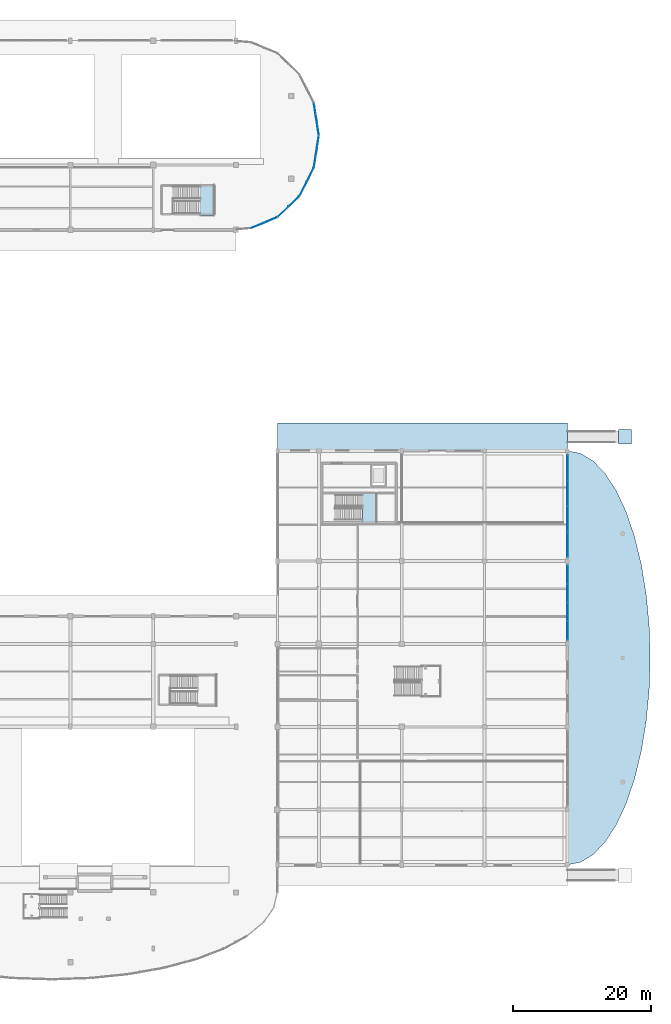
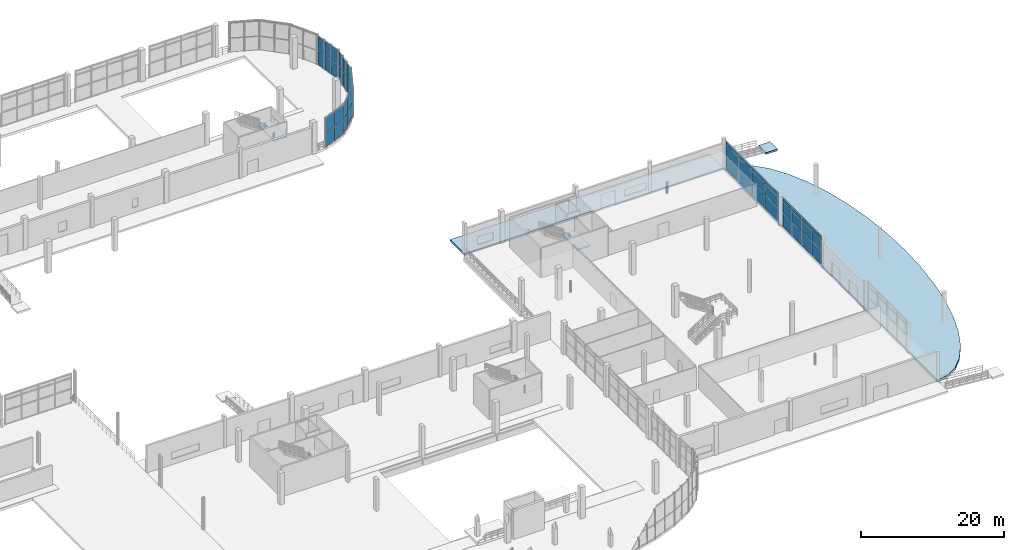
# One storey, part 54 of 85: 48 plates, 5 slabs, 9 elements without a shape of their own.
"""IFC4 building model written with IfcOpenShell, lengths in metres."""

import ifcopenshell
import ifcopenshell.guid

model = None  # the IFC model being written
_history = None  # IfcOwnerHistory: only IFC2X3 demands one
_inside = {}  # id of a spatial element -> (the spatial element, [elements in it])
_under = {}  # id of a project, library or spatial element -> (it, [spatial elements below it])
_declared = {}  # id of a project -> (the project, [libraries it declares])
_typed = {}  # id of a type object -> (the type object, [elements of that type])
_made_of = {}  # id of a material, layer set ... -> (it, [elements and type objects made of it])


def new_model(schema):
    """Start an empty IFC model of exactly this schema.

    Asked for "IFC4X3", IfcOpenShell would pick the latest addendum, in which some entities
    have other attributes; the version numbers below select the first issue.
    IFC2X3 requires an IfcOwnerHistory on every rooted entity: one is made here for all.
    """
    global model, _history
    if schema == "IFC4X3":
        model = ifcopenshell.file(schema_version=(4, 3, 0, 0))
    else:
        model = ifcopenshell.file(schema=schema)
    _inside.clear()
    _under.clear()
    _declared.clear()
    _typed.clear()
    _made_of.clear()
    _history = None
    if model.schema == "IFC2X3":
        org = make("IfcOrganization", Name="unknown")
        user = make(
            "IfcPersonAndOrganization",
            ThePerson=make("IfcPerson", FamilyName="unknown"),
            TheOrganization=org,
        )
        app = make(
            "IfcApplication",
            ApplicationDeveloper=org,
            Version="unknown",
            ApplicationFullName="unknown",
            ApplicationIdentifier="unknown",
        )
        _history = make(
            "IfcOwnerHistory",
            OwningUser=user,
            OwningApplication=app,
            ChangeAction="ADDED",
            CreationDate=0,
        )
    return model


def make(cls, **values):
    """One entity of the class cls with the attributes given. An attribute that is None is left unset."""
    return model.create_entity(
        cls, **{name: value for name, value in values.items() if value is not None}
    )


def rooted(cls, **values):
    """An entity with a GlobalId (a new one), such as an element, a storey or a relation."""
    return make(cls, GlobalId=ifcopenshell.guid.new(), OwnerHistory=_history, **values)


def si_unit(unit_type, name, prefix=None):
    """IfcSIUnit, for example si_unit("LENGTHUNIT", "METRE", prefix="MILLI")."""
    return make("IfcSIUnit", UnitType=unit_type, Prefix=prefix, Name=name)


def assignment(units):
    """IfcUnitAssignment: the units of a project."""
    return None if units is None else make("IfcUnitAssignment", Units=units)


def point(xyz):
    """IfcCartesianPoint."""
    return None if xyz is None else make("IfcCartesianPoint", Coordinates=xyz)


def direction(xyz):
    """IfcDirection."""
    return None if xyz is None else make("IfcDirection", DirectionRatios=xyz)


def frame(location, z_axis=None, x_axis=None):
    """IfcAxis2Placement3D, a coordinate frame: its origin and axes. An axis left out is left unset."""
    return make(
        "IfcAxis2Placement3D",
        Location=point(location),
        Axis=direction(z_axis),
        RefDirection=direction(x_axis),
    )


def frame_2d(location, x_axis=None):
    """IfcAxis2Placement2D, a coordinate frame in the plane: its origin and x axis."""
    return make(
        "IfcAxis2Placement2D", Location=point(location), RefDirection=direction(x_axis)
    )


def origin():
    """The frame at (0, 0, 0) with its axes left unset."""
    return frame((0.0, 0.0, 0.0))


def origin_2d():
    """The frame at (0, 0) in the plane with its x axis left unset."""
    return frame_2d((0.0, 0.0))


def place(relative_to, where):
    """IfcLocalPlacement: puts the frame where relative to a parent placement (None: the world)."""
    return make(
        "IfcLocalPlacement", PlacementRelTo=relative_to, RelativePlacement=where
    )


def context(
    kind, dimensions, precision=None, world=None, true_north=None, identifier=None
):
    """IfcGeometricRepresentationContext, for example the 3D "Model" context."""
    return make(
        "IfcGeometricRepresentationContext",
        ContextIdentifier=identifier,
        ContextType=kind,
        CoordinateSpaceDimension=dimensions,
        Precision=precision,
        WorldCoordinateSystem=world,
        TrueNorth=true_north,
    )


def subcontext(parent, identifier, kind, view, scale=None):
    """IfcGeometricRepresentationSubContext, for example "Body" below "Model"."""
    return make(
        "IfcGeometricRepresentationSubContext",
        ContextIdentifier=identifier,
        ContextType=kind,
        ParentContext=parent,
        TargetScale=scale,
        TargetView=view,
    )


def project(units=None, contexts=None):
    """IfcProject with its units and contexts."""
    return rooted(
        "IfcProject",
        Name="project",
        RepresentationContexts=contexts,
        UnitsInContext=assignment(units),
    )


def spatial(cls, under=None, at=None, **own):
    """A site, building, storey or space (cls), placed at a placement, below another one or the project."""
    s = rooted(cls, ObjectPlacement=at, **own)
    if under is not None:
        _under.setdefault(under.id(), (under, []))[1].append(s)
    return s


def polyline(points):
    """IfcPolyline through the points."""
    return make("IfcPolyline", Points=[point(p) for p in points])


def profile(cls, at=None, kind="AREA", **sizes):
    """A parametric profile (cls). Its sizes go by their IFC names, for example OverallWidth=200.0."""
    return make(cls, ProfileType=kind, Position=at, **sizes)


def rectangle(**sizes):
    """IfcRectangleProfileDef."""
    return profile("IfcRectangleProfileDef", **sizes)


def outline(outer, holes=None, kind="AREA"):
    """IfcArbitraryClosedProfileDef: a profile drawn as a closed curve; with holes, ...WithVoids."""
    if holes is None:
        return make("IfcArbitraryClosedProfileDef", ProfileType=kind, OuterCurve=outer)
    return make(
        "IfcArbitraryProfileDefWithVoids",
        ProfileType=kind,
        OuterCurve=outer,
        InnerCurves=holes,
    )


def extrude(swept, where, along, depth):
    """IfcExtrudedAreaSolid: the profile swept, set in the frame where, extruded along a direction by depth."""
    return make(
        "IfcExtrudedAreaSolid",
        SweptArea=swept,
        Position=where,
        ExtrudedDirection=direction(along),
        Depth=depth,
    )


def shape(context_of_items, identifier, shape_type, items):
    """IfcShapeRepresentation: the items that make up one representation, for example the "Body"."""
    return make(
        "IfcShapeRepresentation",
        ContextOfItems=context_of_items,
        RepresentationIdentifier=identifier,
        RepresentationType=shape_type,
        Items=items,
    )


def material(Name=None, Category=None):
    """IfcMaterial."""
    return make("IfcMaterial", Name=Name, Category=Category)


def layer(
    of_material, thickness, ventilated=None, Name=None, Category=None, Priority=None
):
    """IfcMaterialLayer: one layer of a wall or slab, of a material (None: an air gap)."""
    return make(
        "IfcMaterialLayer",
        Material=of_material,
        LayerThickness=thickness,
        IsVentilated=ventilated,
        Name=Name,
        Category=Category,
        Priority=Priority,
    )


def layer_set(layers, Name=None):
    """IfcMaterialLayerSet."""
    return make("IfcMaterialLayerSet", MaterialLayers=layers, LayerSetName=Name)


def made_of(thing, what):
    """Note that an element or type object is made of a material, layer set ...; save() writes the relation."""
    if what is not None:
        _made_of.setdefault(what.id(), (what, []))[1].append(thing)
    return thing


def type_object(cls, material=None, **own):
    """A type object (cls), such as IfcWallType, which elements share."""
    return made_of(rooted(cls, **own), material)


def element(
    cls,
    number,
    at=None,
    inside=None,
    cuts=None,
    type_object=None,
    material=None,
    context=None,
    identifier="Body",
    shape_type=None,
    held_by="IfcProductDefinitionShape",
    body=None,
    shapes=None,
    **own,
):
    """One element of the class cls, such as IfcWall. Its Tag is "e" and its number.

    at: its placement. inside: the storey or other place that contains it. cuts: it is an
    opening in that element (IfcRelVoidsElement). A single representation is given by context,
    identifier, shape_type and body (its items); several are given by shapes. held_by: the class
    of the entity that holds the representations. save() writes the other relations.
    """
    e = rooted(cls, Tag="e%d" % number, ObjectPlacement=at, **own)
    if body is not None:
        shapes = [shape(context, identifier, shape_type, body)]
    if shapes is not None:
        e.Representation = make(held_by, Representations=shapes)
    if inside is not None:
        _inside.setdefault(inside.id(), (inside, []))[1].append(e)
    if cuts is not None:
        rooted(
            "IfcRelVoidsElement", RelatingBuildingElement=cuts, RelatedOpeningElement=e
        )
    if type_object is not None:
        _typed.setdefault(type_object.id(), (type_object, []))[1].append(e)
    return made_of(e, material)


def aggregate(whole, parts):
    """IfcRelAggregates: a whole, such as a stair, and the parts it consists of."""
    return rooted("IfcRelAggregates", RelatingObject=whole, RelatedObjects=parts)


def save(model, path):
    """Write the relations noted so far, then the file.

    IfcRelAggregates (storeys below a building ...), IfcRelContainedInSpatialStructure (elements
    in a storey), IfcRelDefinesByType, IfcRelAssociatesMaterial and IfcRelDeclares: one each for
    every whole, place, type object, material and project.
    """
    for whole, parts in _under.values():
        aggregate(whole, parts)
    for where, things in _inside.values():
        rooted(
            "IfcRelContainedInSpatialStructure",
            RelatedElements=things,
            RelatingStructure=where,
        )
    for kind, things in _typed.values():
        rooted("IfcRelDefinesByType", RelatedObjects=things, RelatingType=kind)
    for what, things in _made_of.values():
        rooted("IfcRelAssociatesMaterial", RelatedObjects=things, RelatingMaterial=what)
    for by, libraries in _declared.values():
        rooted("IfcRelDeclares", RelatingContext=by, RelatedDefinitions=libraries)
    model.write(path)


model = new_model("IFC4")

# Units and contexts
model_context = context("Model", 3, precision=1e-05, world=origin(), true_north=direction((0.0, 1.0)))
body_context = subcontext(model_context, "Body", "Model", "MODEL_VIEW")
ifc_project = project(units=[si_unit("LENGTHUNIT", "METRE"), si_unit("AREAUNIT", "SQUARE_METRE"), si_unit("VOLUMEUNIT", "CUBIC_METRE"), si_unit("PLANEANGLEUNIT", "RADIAN"), si_unit("MASSUNIT", "GRAM", prefix="KILO"), si_unit("THERMODYNAMICTEMPERATUREUNIT", "KELVIN"), si_unit("POWERUNIT", "WATT")], contexts=[model_context])

# Site, building, storey
site_placement = place(None, origin())
site = spatial("IfcSite", under=ifc_project, at=site_placement, CompositionType="ELEMENT")
building_placement = place(site_placement, origin())
building = spatial("IfcBuilding", under=site, at=building_placement, Name="Solmara Park Aquatics Centre", CompositionType="ELEMENT")
storey_placement = place(building_placement, origin())
storey = spatial("IfcBuildingStorey", under=building, at=storey_placement, Name="L00", CompositionType="ELEMENT", Elevation=0.0)

# Curtain wall, plates
ifc_material_1 = material(Name="Anodised Aluminium Curtain Wall Framing", Category="aluminium")
curtain_wall_type_1 = type_object("IfcCurtainWallType", Name="ARC-CW-SYS06", PredefinedType="USERDEFINED", material=ifc_material_1)
curtain_wall_1_placement = place(storey_placement, origin())
curtain_wall_1 = element("IfcCurtainWall", 1, at=curtain_wall_1_placement, inside=storey, type_object=curtain_wall_type_1, Name="Curtain Wall CW-141", ObjectType="CURTAIN WALL", PredefinedType="USERDEFINED")
ifc_material_2 = material(Name="Acoustic Laminated Glazing", Category="glass")
ifc_layer_1 = layer(ifc_material_2, 0.028076171875, Name="Acoustic Laminated Glazing")
ifc_layer_set_1 = layer_set([ifc_layer_1], Name="Acoustic Laminated Glazing")
plate_type_1 = type_object("IfcPlateType", Name="ARC-CWP-GLZ28-1480x2320", PredefinedType="CURTAIN_PANEL", material=ifc_layer_set_1)
plate_1_placement = place(storey_placement, frame((167.39794921875, 118.40185546875, 0.080078125), z_axis=(0.0, 0.0, 1.0), x_axis=(0.152639145313, 0.988281989777, 0.0)))
plate_1 = element("IfcPlate", 2, at=plate_1_placement, type_object=plate_type_1, Name="CW-141 panel 1", PredefinedType="CURTAIN_PANEL", context=body_context, shape_type="SweptSolid", body=[
    extrude(rectangle(XDim=1.473876953125, YDim=0.028076171875, at=origin_2d()), origin(), (0.0, 0.0, 1.0), 2.330078125),
])
plate_2_placement = place(storey_placement, frame((167.635009765625, 119.9375, 0.080078125), z_axis=(0.0, 0.0, 1.0), x_axis=(0.152639145313, 0.988281989777, 0.0)))
plate_2 = element("IfcPlate", 3, at=plate_2_placement, type_object=plate_type_1, Name="CW-141 panel 3", PredefinedType="CURTAIN_PANEL", context=body_context, shape_type="SweptSolid", body=[
    extrude(rectangle(XDim=1.473876953125, YDim=0.028076171875, at=origin_2d()), origin(), (0.0, 0.0, 1.0), 2.330078125),
])
plate_3_placement = place(storey_placement, frame((167.872314453125, 121.472900390625, 0.080078125), z_axis=(0.0, 0.0, 1.0), x_axis=(0.152639145313, 0.988281989777, 0.0)))
plate_3 = element("IfcPlate", 4, at=plate_3_placement, type_object=plate_type_1, Name="CW-141 panel 5", PredefinedType="CURTAIN_PANEL", context=body_context, shape_type="SweptSolid", body=[
    extrude(rectangle(XDim=1.473876953125, YDim=0.028076171875, at=origin_2d()), origin(), (0.0, 0.0, 1.0), 2.330078125),
])

curtain_wall_2_placement = place(storey_placement, origin())
curtain_wall_2 = element("IfcCurtainWall", 5, at=curtain_wall_2_placement, inside=storey, type_object=curtain_wall_type_1, Name="Curtain Wall CW-142", ObjectType="CURTAIN WALL", PredefinedType="USERDEFINED")
plate_4_placement = place(storey_placement, frame((167.87841796875, 123.08740234375, 0.080078125), z_axis=(0.0, 0.0, 1.0), x_axis=(-0.152639145313, 0.988281989777, 0.0)))
plate_4 = element("IfcPlate", 6, at=plate_4_placement, type_object=plate_type_1, Name="CW-142 panel 1", PredefinedType="CURTAIN_PANEL", context=body_context, shape_type="SweptSolid", body=[
    extrude(rectangle(XDim=1.473876953125, YDim=0.028076171875, at=origin_2d()), origin(), (0.0, 0.0, 1.0), 2.330078125),
])
plate_5_placement = place(storey_placement, frame((167.64111328125, 124.623046875, 0.080078125), z_axis=(0.0, 0.0, 1.0), x_axis=(-0.152639145313, 0.988281989777, 0.0)))
plate_5 = element("IfcPlate", 7, at=plate_5_placement, type_object=plate_type_1, Name="CW-142 panel 3", PredefinedType="CURTAIN_PANEL", context=body_context, shape_type="SweptSolid", body=[
    extrude(rectangle(XDim=1.473876953125, YDim=0.028076171875, at=origin_2d()), origin(), (0.0, 0.0, 1.0), 2.330078125),
])
plate_6_placement = place(storey_placement, frame((167.404052734375, 126.15869140625, 0.080078125), z_axis=(0.0, 0.0, 1.0), x_axis=(-0.152639145313, 0.988281989777, 0.0)))
plate_6 = element("IfcPlate", 8, at=plate_6_placement, type_object=plate_type_1, Name="CW-142 panel 5", PredefinedType="CURTAIN_PANEL", context=body_context, shape_type="SweptSolid", body=[
    extrude(rectangle(XDim=1.473876953125, YDim=0.028076171875, at=origin_2d()), origin(), (0.0, 0.0, 1.0), 2.330078125),
])

# Plate
ifc_layer_2 = layer(ifc_material_2, 0.028076171875, Name="Acoustic Laminated Glazing")
ifc_layer_set_2 = layer_set([ifc_layer_2], Name="Acoustic Laminated Glazing")
plate_type_2 = type_object("IfcPlateType", Name="ARC-CWP-GLZ28-1480x2500", PredefinedType="CURTAIN_PANEL", material=ifc_layer_set_2)
plate_7_placement = place(storey_placement, frame((167.39794921875, 118.40185546875, 2.490234375), z_axis=(0.0, 0.0, 1.0), x_axis=(0.152639145313, 0.988281989777, 0.0)))
plate_7 = element("IfcPlate", 9, at=plate_7_placement, type_object=plate_type_2, Name="CW-141 panel 2", PredefinedType="CURTAIN_PANEL", context=body_context, shape_type="SweptSolid", body=[
    extrude(rectangle(XDim=1.473876953125, YDim=0.028076171875, at=origin_2d()), origin(), (0.0, 0.0, 1.0), 2.510009765625),
])

plate_8_placement = place(storey_placement, frame((167.635009765625, 119.9375, 2.490234375), z_axis=(0.0, 0.0, 1.0), x_axis=(0.152639145313, 0.988281989777, 0.0)))
plate_8 = element("IfcPlate", 10, at=plate_8_placement, type_object=plate_type_2, Name="CW-141 panel 4", PredefinedType="CURTAIN_PANEL", context=body_context, shape_type="SweptSolid", body=[
    extrude(rectangle(XDim=1.473876953125, YDim=0.028076171875, at=origin_2d()), origin(), (0.0, 0.0, 1.0), 2.510009765625),
])

plate_9_placement = place(storey_placement, frame((167.872314453125, 121.472900390625, 2.490234375), z_axis=(0.0, 0.0, 1.0), x_axis=(0.152639145313, 0.988281989777, 0.0)))
plate_9 = element("IfcPlate", 11, at=plate_9_placement, type_object=plate_type_2, Name="CW-141 panel 6", PredefinedType="CURTAIN_PANEL", context=body_context, shape_type="SweptSolid", body=[
    extrude(rectangle(XDim=1.473876953125, YDim=0.028076171875, at=origin_2d()), origin(), (0.0, 0.0, 1.0), 2.510009765625),
])

aggregate(curtain_wall_1, [plate_1, plate_7, plate_2, plate_8, plate_3, plate_9])

plate_10_placement = place(storey_placement, frame((167.87841796875, 123.08740234375, 2.490234375), z_axis=(0.0, 0.0, 1.0), x_axis=(-0.152639145313, 0.988281989777, 0.0)))
plate_10 = element("IfcPlate", 12, at=plate_10_placement, type_object=plate_type_2, Name="CW-142 panel 2", PredefinedType="CURTAIN_PANEL", context=body_context, shape_type="SweptSolid", body=[
    extrude(rectangle(XDim=1.473876953125, YDim=0.028076171875, at=origin_2d()), origin(), (0.0, 0.0, 1.0), 2.510009765625),
])

plate_11_placement = place(storey_placement, frame((167.64111328125, 124.623046875, 2.490234375), z_axis=(0.0, 0.0, 1.0), x_axis=(-0.152639145313, 0.988281989777, 0.0)))
plate_11 = element("IfcPlate", 13, at=plate_11_placement, type_object=plate_type_2, Name="CW-142 panel 4", PredefinedType="CURTAIN_PANEL", context=body_context, shape_type="SweptSolid", body=[
    extrude(rectangle(XDim=1.473876953125, YDim=0.028076171875, at=origin_2d()), origin(), (0.0, 0.0, 1.0), 2.510009765625),
])

plate_12_placement = place(storey_placement, frame((167.404052734375, 126.15869140625, 2.490234375), z_axis=(0.0, 0.0, 1.0), x_axis=(-0.152639145313, 0.988281989777, 0.0)))
plate_12 = element("IfcPlate", 14, at=plate_12_placement, type_object=plate_type_2, Name="CW-142 panel 6", PredefinedType="CURTAIN_PANEL", context=body_context, shape_type="SweptSolid", body=[
    extrude(rectangle(XDim=1.473876953125, YDim=0.028076171875, at=origin_2d()), origin(), (0.0, 0.0, 1.0), 2.510009765625),
])

aggregate(curtain_wall_2, [plate_4, plate_10, plate_5, plate_11, plate_6, plate_12])

# Curtain wall, plates
curtain_wall_3_placement = place(storey_placement, origin())
curtain_wall_3 = element("IfcCurtainWall", 15, at=curtain_wall_3_placement, inside=storey, type_object=curtain_wall_type_1, Name="Curtain Wall CW-138", ObjectType="CURTAIN WALL", PredefinedType="USERDEFINED")
ifc_layer_3 = layer(ifc_material_2, 0.028076171875, Name="Acoustic Laminated Glazing")
ifc_layer_set_3 = layer_set([ifc_layer_3], Name="Acoustic Laminated Glazing")
plate_type_3 = type_object("IfcPlateType", Name="ARC-CWP-GLZ28-2000x2320", PredefinedType="CURTAIN_PANEL", material=ifc_layer_set_3)
plate_13_placement = place(storey_placement, frame((159.062744140625, 109.215087890625, 0.080078125), z_axis=(0.0, 0.0, 1.0), x_axis=(0.923440779026, 0.383740964235, 0.0)))
plate_13 = element("IfcPlate", 16, at=plate_13_placement, type_object=plate_type_3, Name="CW-138 panel 1", PredefinedType="CURTAIN_PANEL", context=body_context, shape_type="SweptSolid", body=[
    extrude(rectangle(XDim=2.00048828125, YDim=0.028076171875, at=origin_2d()), origin(), (0.0, 0.0, 1.0), 2.330078125),
])
plate_14_placement = place(storey_placement, frame((160.98388671875, 110.01318359375, 0.080078125), z_axis=(0.0, 0.0, 1.0), x_axis=(0.923440779026, 0.383740964235, 0.0)))
plate_14 = element("IfcPlate", 17, at=plate_14_placement, type_object=plate_type_3, Name="CW-138 panel 3", PredefinedType="CURTAIN_PANEL", context=body_context, shape_type="SweptSolid", body=[
    extrude(rectangle(XDim=2.00048828125, YDim=0.028076171875, at=origin_2d()), origin(), (0.0, 0.0, 1.0), 2.330078125),
])
ifc_layer_4 = layer(ifc_material_2, 0.028076171875, Name="Acoustic Laminated Glazing")
ifc_layer_set_4 = layer_set([ifc_layer_4], Name="Acoustic Laminated Glazing")
plate_type_4 = type_object("IfcPlateType", Name="ARC-CWP-GLZ28-2000x2500", PredefinedType="CURTAIN_PANEL", material=ifc_layer_set_4)
plate_15_placement = place(storey_placement, frame((159.062744140625, 109.215087890625, 2.490234375), z_axis=(0.0, 0.0, 1.0), x_axis=(0.923440779026, 0.383740964235, 0.0)))
plate_15 = element("IfcPlate", 18, at=plate_15_placement, type_object=plate_type_4, Name="CW-138 panel 2", PredefinedType="CURTAIN_PANEL", context=body_context, shape_type="SweptSolid", body=[
    extrude(rectangle(XDim=2.00048828125, YDim=0.028076171875, at=origin_2d()), origin(), (0.0, 0.0, 1.0), 2.510009765625),
])
plate_16_placement = place(storey_placement, frame((160.98388671875, 110.01318359375, 2.490234375), z_axis=(0.0, 0.0, 1.0), x_axis=(0.923440779026, 0.383740964235, 0.0)))
plate_16 = element("IfcPlate", 19, at=plate_16_placement, type_object=plate_type_4, Name="CW-138 panel 4", PredefinedType="CURTAIN_PANEL", context=body_context, shape_type="SweptSolid", body=[
    extrude(rectangle(XDim=2.00048828125, YDim=0.028076171875, at=origin_2d()), origin(), (0.0, 0.0, 1.0), 2.510009765625),
])
aggregate(curtain_wall_3, [plate_13, plate_15, plate_14, plate_16])

curtain_wall_4_placement = place(storey_placement, origin())
curtain_wall_4 = element("IfcCurtainWall", 20, at=curtain_wall_4_placement, inside=storey, type_object=curtain_wall_type_1, Name="Curtain Wall CW-139", ObjectType="CURTAIN WALL", PredefinedType="USERDEFINED")
ifc_layer_5 = layer(ifc_material_2, 0.028076171875, Name="Acoustic Laminated Glazing")
ifc_layer_set_5 = layer_set([ifc_layer_5], Name="Acoustic Laminated Glazing")
plate_type_5 = type_object("IfcPlateType", Name="ARC-CWP-GLZ28-2100x2320", PredefinedType="CURTAIN_PANEL", material=ifc_layer_set_5)
plate_17_placement = place(storey_placement, frame((162.798095703125, 111.2001953125, 0.080078125), z_axis=(0.0, 0.0, 1.0), x_axis=(0.722121327104, 0.691766426579, 0.0)))
plate_17 = element("IfcPlate", 21, at=plate_17_placement, type_object=plate_type_5, Name="CW-139 panel 1", PredefinedType="CURTAIN_PANEL", context=body_context, shape_type="SweptSolid", body=[
    extrude(rectangle(XDim=2.090576171875, YDim=0.028076171875, at=origin_2d()), origin(), (0.0, 0.0, 1.0), 2.330078125),
])
plate_18_placement = place(storey_placement, frame((164.365478515625, 112.701416015625, 0.080078125), z_axis=(0.0, 0.0, 1.0), x_axis=(0.722121327104, 0.691766426579, 0.0)))
plate_18 = element("IfcPlate", 22, at=plate_18_placement, type_object=plate_type_5, Name="CW-139 panel 3", PredefinedType="CURTAIN_PANEL", context=body_context, shape_type="SweptSolid", body=[
    extrude(rectangle(XDim=2.090576171875, YDim=0.028076171875, at=origin_2d()), origin(), (0.0, 0.0, 1.0), 2.330078125),
])
ifc_layer_6 = layer(ifc_material_2, 0.028076171875, Name="Acoustic Laminated Glazing")
ifc_layer_set_6 = layer_set([ifc_layer_6], Name="Acoustic Laminated Glazing")
plate_type_6 = type_object("IfcPlateType", Name="ARC-CWP-GLZ28-2100x2500", PredefinedType="CURTAIN_PANEL", material=ifc_layer_set_6)
plate_19_placement = place(storey_placement, frame((162.798095703125, 111.2001953125, 2.490234375), z_axis=(0.0, 0.0, 1.0), x_axis=(0.722121327104, 0.691766426579, 0.0)))
plate_19 = element("IfcPlate", 23, at=plate_19_placement, type_object=plate_type_6, Name="CW-139 panel 2", PredefinedType="CURTAIN_PANEL", context=body_context, shape_type="SweptSolid", body=[
    extrude(rectangle(XDim=2.090576171875, YDim=0.028076171875, at=origin_2d()), origin(), (0.0, 0.0, 1.0), 2.510009765625),
])
plate_20_placement = place(storey_placement, frame((164.365478515625, 112.701416015625, 2.490234375), z_axis=(0.0, 0.0, 1.0), x_axis=(0.722121327104, 0.691766426579, 0.0)))
plate_20 = element("IfcPlate", 24, at=plate_20_placement, type_object=plate_type_6, Name="CW-139 panel 4", PredefinedType="CURTAIN_PANEL", context=body_context, shape_type="SweptSolid", body=[
    extrude(rectangle(XDim=2.090576171875, YDim=0.028076171875, at=origin_2d()), origin(), (0.0, 0.0, 1.0), 2.510009765625),
])
aggregate(curtain_wall_4, [plate_17, plate_19, plate_18, plate_20])

curtain_wall_5_placement = place(storey_placement, origin())
curtain_wall_5 = element("IfcCurtainWall", 25, at=curtain_wall_5_placement, inside=storey, type_object=curtain_wall_type_1, Name="Curtain Wall CW-140", ObjectType="CURTAIN WALL", PredefinedType="USERDEFINED")
ifc_layer_7 = layer(ifc_material_2, 0.028076171875, Name="Acoustic Laminated Glazing")
ifc_layer_set_7 = layer_set([ifc_layer_7], Name="Acoustic Laminated Glazing")
plate_type_7 = type_object("IfcPlateType", Name="ARC-CWP-GLZ28-2180x2320", PredefinedType="CURTAIN_PANEL", material=ifc_layer_set_7)
plate_21_placement = place(storey_placement, frame((165.71337890625, 114.52392578125, 0.080078125), z_axis=(0.0, 0.0, 1.0), x_axis=(0.451288766833, 0.892377974252, 0.0)))
plate_21 = element("IfcPlate", 26, at=plate_21_placement, type_object=plate_type_7, Name="CW-140 panel 1", PredefinedType="CURTAIN_PANEL", context=body_context, shape_type="SweptSolid", body=[
    extrude(rectangle(XDim=2.188720703125, YDim=0.028076171875, at=origin_2d()), origin(), (0.0, 0.0, 1.0), 2.330078125),
])
plate_22_placement = place(storey_placement, frame((166.7373046875, 116.548583984375, 0.080078125), z_axis=(0.0, 0.0, 1.0), x_axis=(0.451288766833, 0.892377974252, 0.0)))
plate_22 = element("IfcPlate", 27, at=plate_22_placement, type_object=plate_type_7, Name="CW-140 panel 3", PredefinedType="CURTAIN_PANEL", context=body_context, shape_type="SweptSolid", body=[
    extrude(rectangle(XDim=2.188720703125, YDim=0.028076171875, at=origin_2d()), origin(), (0.0, 0.0, 1.0), 2.330078125),
])
ifc_layer_8 = layer(ifc_material_2, 0.028076171875, Name="Acoustic Laminated Glazing")
ifc_layer_set_8 = layer_set([ifc_layer_8], Name="Acoustic Laminated Glazing")
plate_type_8 = type_object("IfcPlateType", Name="ARC-CWP-GLZ28-2180x2500", PredefinedType="CURTAIN_PANEL", material=ifc_layer_set_8)
plate_23_placement = place(storey_placement, frame((165.71337890625, 114.52392578125, 2.490234375), z_axis=(0.0, 0.0, 1.0), x_axis=(0.451288766833, 0.892377974252, 0.0)))
plate_23 = element("IfcPlate", 28, at=plate_23_placement, type_object=plate_type_8, Name="CW-140 panel 2", PredefinedType="CURTAIN_PANEL", context=body_context, shape_type="SweptSolid", body=[
    extrude(rectangle(XDim=2.188720703125, YDim=0.028076171875, at=origin_2d()), origin(), (0.0, 0.0, 1.0), 2.510009765625),
])
plate_24_placement = place(storey_placement, frame((166.7373046875, 116.548583984375, 2.490234375), z_axis=(0.0, 0.0, 1.0), x_axis=(0.451288766833, 0.892377974252, 0.0)))
plate_24 = element("IfcPlate", 29, at=plate_24_placement, type_object=plate_type_8, Name="CW-140 panel 4", PredefinedType="CURTAIN_PANEL", context=body_context, shape_type="SweptSolid", body=[
    extrude(rectangle(XDim=2.188720703125, YDim=0.028076171875, at=origin_2d()), origin(), (0.0, 0.0, 1.0), 2.510009765625),
])
aggregate(curtain_wall_5, [plate_21, plate_23, plate_22, plate_24])

curtain_wall_type_2 = type_object("IfcCurtainWallType", Name="ARC-CW-SYS02", PredefinedType="USERDEFINED", material=ifc_material_1)
curtain_wall_6_placement = place(storey_placement, origin())
curtain_wall_6 = element("IfcCurtainWall", 30, at=curtain_wall_6_placement, inside=storey, type_object=curtain_wall_type_2, Name="Curtain Wall CW-093", ObjectType="CURTAIN WALL", PredefinedType="USERDEFINED")
ifc_material_3 = material(Name="Double Low-E Solar-Control Glazing", Category="glass")
ifc_layer_9 = layer(ifc_material_3, 0.035888671875, Name="Double Low-E Solar-Control Glazing")
ifc_layer_set_9 = layer_set([ifc_layer_9], Name="Double Low-E Solar-Control Glazing")
plate_type_9 = type_object("IfcPlateType", Name="ARC-CWP-GLZ36-2620x1800", PredefinedType="CURTAIN_PANEL", material=ifc_layer_set_9)
plate_25_placement = place(storey_placement, frame((204.0, 50.530029296875, 2.48974609375), z_axis=(0.0, 0.0, 1.0), x_axis=(0.0, 1.0, 0.0)))
plate_25 = element("IfcPlate", 31, at=plate_25_placement, type_object=plate_type_9, Name="CW-093 panel 2", PredefinedType="CURTAIN_PANEL", context=body_context, shape_type="SweptSolid", body=[
    extrude(rectangle(XDim=2.6201171875, YDim=0.035888671875, at=origin_2d()), origin(), (0.0, 0.0, 1.0), 1.800048828125),
])
plate_26_placement = place(storey_placement, frame((204.0, 53.22998046875, 2.48974609375), z_axis=(0.0, 0.0, 1.0), x_axis=(0.0, 1.0, 0.0)))
plate_26 = element("IfcPlate", 32, at=plate_26_placement, type_object=plate_type_9, Name="CW-093 panel 5", PredefinedType="CURTAIN_PANEL", context=body_context, shape_type="SweptSolid", body=[
    extrude(rectangle(XDim=2.6201171875, YDim=0.035888671875, at=origin_2d()), origin(), (0.0, 0.0, 1.0), 1.800048828125),
])
plate_27_placement = place(storey_placement, frame((204.0, 55.929931640625, 2.48974609375), z_axis=(0.0, 0.0, 1.0), x_axis=(0.0, 1.0, 0.0)))
plate_27 = element("IfcPlate", 33, at=plate_27_placement, type_object=plate_type_9, Name="CW-093 panel 8", PredefinedType="CURTAIN_PANEL", context=body_context, shape_type="SweptSolid", body=[
    extrude(rectangle(XDim=2.6201171875, YDim=0.035888671875, at=origin_2d()), origin(), (0.0, 0.0, 1.0), 1.800048828125),
])
plate_28_placement = place(storey_placement, frame((204.0, 58.6298828125, 2.48974609375), z_axis=(0.0, 0.0, 1.0), x_axis=(0.0, 1.0, 0.0)))
plate_28 = element("IfcPlate", 34, at=plate_28_placement, type_object=plate_type_9, Name="CW-093 panel 11", PredefinedType="CURTAIN_PANEL", context=body_context, shape_type="SweptSolid", body=[
    extrude(rectangle(XDim=2.6201171875, YDim=0.035888671875, at=origin_2d()), origin(), (0.0, 0.0, 1.0), 1.800048828125),
])
ifc_layer_10 = layer(ifc_material_3, 0.035888671875, Name="Double Low-E Solar-Control Glazing")
ifc_layer_set_10 = layer_set([ifc_layer_10], Name="Double Low-E Solar-Control Glazing")
plate_type_10 = type_object("IfcPlateType", Name="ARC-CWP-GLZ36-2620x2320", PredefinedType="CURTAIN_PANEL", material=ifc_layer_set_10)
plate_29_placement = place(storey_placement, frame((204.0, 50.530029296875, 0.080078125), z_axis=(0.0, 0.0, 1.0), x_axis=(0.0, 1.0, 0.0)))
plate_29 = element("IfcPlate", 35, at=plate_29_placement, type_object=plate_type_10, Name="CW-093 panel 1", PredefinedType="CURTAIN_PANEL", context=body_context, shape_type="SweptSolid", body=[
    extrude(rectangle(XDim=2.6201171875, YDim=0.035888671875, at=origin_2d()), origin(), (0.0, 0.0, 1.0), 2.330078125),
])
plate_30_placement = place(storey_placement, frame((204.0, 53.22998046875, 0.080078125), z_axis=(0.0, 0.0, 1.0), x_axis=(0.0, 1.0, 0.0)))
plate_30 = element("IfcPlate", 36, at=plate_30_placement, type_object=plate_type_10, Name="CW-093 panel 4", PredefinedType="CURTAIN_PANEL", context=body_context, shape_type="SweptSolid", body=[
    extrude(rectangle(XDim=2.6201171875, YDim=0.035888671875, at=origin_2d()), origin(), (0.0, 0.0, 1.0), 2.330078125),
])
plate_31_placement = place(storey_placement, frame((204.0, 55.929931640625, 0.080078125), z_axis=(0.0, 0.0, 1.0), x_axis=(0.0, 1.0, 0.0)))
plate_31 = element("IfcPlate", 37, at=plate_31_placement, type_object=plate_type_10, Name="CW-093 panel 7", PredefinedType="CURTAIN_PANEL", context=body_context, shape_type="SweptSolid", body=[
    extrude(rectangle(XDim=2.6201171875, YDim=0.035888671875, at=origin_2d()), origin(), (0.0, 0.0, 1.0), 2.330078125),
])
plate_32_placement = place(storey_placement, frame((204.0, 58.6298828125, 0.080078125), z_axis=(0.0, 0.0, 1.0), x_axis=(0.0, 1.0, 0.0)))
plate_32 = element("IfcPlate", 38, at=plate_32_placement, type_object=plate_type_10, Name="CW-093 panel 10", PredefinedType="CURTAIN_PANEL", context=body_context, shape_type="SweptSolid", body=[
    extrude(rectangle(XDim=2.6201171875, YDim=0.035888671875, at=origin_2d()), origin(), (0.0, 0.0, 1.0), 2.330078125),
])

curtain_wall_7_placement = place(storey_placement, origin())
curtain_wall_7 = element("IfcCurtainWall", 39, at=curtain_wall_7_placement, inside=storey, type_object=curtain_wall_type_2, Name="Curtain Wall CW-095", ObjectType="CURTAIN WALL", PredefinedType="USERDEFINED")
ifc_layer_11 = layer(ifc_material_3, 0.035888671875, Name="Double Low-E Solar-Control Glazing")
ifc_layer_set_11 = layer_set([ifc_layer_11], Name="Double Low-E Solar-Control Glazing")
plate_type_11 = type_object("IfcPlateType", Name="ARC-CWP-GLZ36-3620x1800", PredefinedType="CURTAIN_PANEL", material=ifc_layer_set_11)
plate_33_placement = place(storey_placement, frame((204.0, 63.030029296875, 2.48974609375), z_axis=(0.0, 0.0, 1.0), x_axis=(0.0, 1.0, 0.0)))
plate_33 = element("IfcPlate", 40, at=plate_33_placement, type_object=plate_type_11, Name="CW-095 panel 2", PredefinedType="CURTAIN_PANEL", context=body_context, shape_type="SweptSolid", body=[
    extrude(rectangle(XDim=3.6201171875, YDim=0.035888671875, at=origin_2d()), origin(), (0.0, 0.0, 1.0), 1.800048828125),
])
plate_34_placement = place(storey_placement, frame((204.0, 66.72998046875, 2.48974609375), z_axis=(0.0, 0.0, 1.0), x_axis=(0.0, 1.0, 0.0)))
plate_34 = element("IfcPlate", 41, at=plate_34_placement, type_object=plate_type_11, Name="CW-095 panel 5", PredefinedType="CURTAIN_PANEL", context=body_context, shape_type="SweptSolid", body=[
    extrude(rectangle(XDim=3.6201171875, YDim=0.035888671875, at=origin_2d()), origin(), (0.0, 0.0, 1.0), 1.800048828125),
])
plate_35_placement = place(storey_placement, frame((204.0, 70.429931640625, 2.48974609375), z_axis=(0.0, 0.0, 1.0), x_axis=(0.0, 1.0, 0.0)))
plate_35 = element("IfcPlate", 42, at=plate_35_placement, type_object=plate_type_11, Name="CW-095 panel 8", PredefinedType="CURTAIN_PANEL", context=body_context, shape_type="SweptSolid", body=[
    extrude(rectangle(XDim=3.6201171875, YDim=0.035888671875, at=origin_2d()), origin(), (0.0, 0.0, 1.0), 1.800048828125),
])
plate_36_placement = place(storey_placement, frame((204.0, 74.1298828125, 2.48974609375), z_axis=(0.0, 0.0, 1.0), x_axis=(0.0, 1.0, 0.0)))
plate_36 = element("IfcPlate", 43, at=plate_36_placement, type_object=plate_type_11, Name="CW-095 panel 11", PredefinedType="CURTAIN_PANEL", context=body_context, shape_type="SweptSolid", body=[
    extrude(rectangle(XDim=3.6201171875, YDim=0.035888671875, at=origin_2d()), origin(), (0.0, 0.0, 1.0), 1.800048828125),
])
ifc_layer_12 = layer(ifc_material_3, 0.035888671875, Name="Double Low-E Solar-Control Glazing")
ifc_layer_set_12 = layer_set([ifc_layer_12], Name="Double Low-E Solar-Control Glazing")
plate_type_12 = type_object("IfcPlateType", Name="ARC-CWP-GLZ36-3620x2320", PredefinedType="CURTAIN_PANEL", material=ifc_layer_set_12)
plate_37_placement = place(storey_placement, frame((204.0, 63.030029296875, 0.080078125), z_axis=(0.0, 0.0, 1.0), x_axis=(0.0, 1.0, 0.0)))
plate_37 = element("IfcPlate", 44, at=plate_37_placement, type_object=plate_type_12, Name="CW-095 panel 1", PredefinedType="CURTAIN_PANEL", context=body_context, shape_type="SweptSolid", body=[
    extrude(rectangle(XDim=3.6201171875, YDim=0.035888671875, at=origin_2d()), origin(), (0.0, 0.0, 1.0), 2.330078125),
])
plate_38_placement = place(storey_placement, frame((204.0, 66.72998046875, 0.080078125), z_axis=(0.0, 0.0, 1.0), x_axis=(0.0, 1.0, 0.0)))
plate_38 = element("IfcPlate", 45, at=plate_38_placement, type_object=plate_type_12, Name="CW-095 panel 4", PredefinedType="CURTAIN_PANEL", context=body_context, shape_type="SweptSolid", body=[
    extrude(rectangle(XDim=3.6201171875, YDim=0.035888671875, at=origin_2d()), origin(), (0.0, 0.0, 1.0), 2.330078125),
])
plate_39_placement = place(storey_placement, frame((204.0, 70.429931640625, 0.080078125), z_axis=(0.0, 0.0, 1.0), x_axis=(0.0, 1.0, 0.0)))
plate_39 = element("IfcPlate", 46, at=plate_39_placement, type_object=plate_type_12, Name="CW-095 panel 7", PredefinedType="CURTAIN_PANEL", context=body_context, shape_type="SweptSolid", body=[
    extrude(rectangle(XDim=3.6201171875, YDim=0.035888671875, at=origin_2d()), origin(), (0.0, 0.0, 1.0), 2.330078125),
])
plate_40_placement = place(storey_placement, frame((204.0, 74.1298828125, 0.080078125), z_axis=(0.0, 0.0, 1.0), x_axis=(0.0, 1.0, 0.0)))
plate_40 = element("IfcPlate", 47, at=plate_40_placement, type_object=plate_type_12, Name="CW-095 panel 10", PredefinedType="CURTAIN_PANEL", context=body_context, shape_type="SweptSolid", body=[
    extrude(rectangle(XDim=3.6201171875, YDim=0.035888671875, at=origin_2d()), origin(), (0.0, 0.0, 1.0), 2.330078125),
])

# Plate
ifc_material_4 = material(Name="Insulated Anodised Aluminium Spandrel Panel", Category="aluminium")
ifc_layer_13 = layer(ifc_material_4, 0.0439453125, Name="Insulated Anodised Aluminium Spandrel Panel")
ifc_layer_set_13 = layer_set([ifc_layer_13], Name="Insulated Anodised Aluminium Spandrel Panel")
plate_type_13 = type_object("IfcPlateType", Name="ARC-CWP-SPN44-2620x620", PredefinedType="CURTAIN_PANEL", material=ifc_layer_set_13)
plate_41_placement = place(storey_placement, frame((204.0, 50.530029296875, 4.3701171875), z_axis=(0.0, 0.0, 1.0), x_axis=(0.0, 1.0, 0.0)))
plate_41 = element("IfcPlate", 48, at=plate_41_placement, type_object=plate_type_13, Name="CW-093 panel 3", PredefinedType="CURTAIN_PANEL", context=body_context, shape_type="SweptSolid", body=[
    extrude(rectangle(XDim=2.6201171875, YDim=0.0439453125, at=origin_2d()), origin(), (0.0, 0.0, 1.0), 0.6298828125),
])

plate_42_placement = place(storey_placement, frame((204.0, 53.22998046875, 4.3701171875), z_axis=(0.0, 0.0, 1.0), x_axis=(0.0, 1.0, 0.0)))
plate_42 = element("IfcPlate", 49, at=plate_42_placement, type_object=plate_type_13, Name="CW-093 panel 6", PredefinedType="CURTAIN_PANEL", context=body_context, shape_type="SweptSolid", body=[
    extrude(rectangle(XDim=2.6201171875, YDim=0.0439453125, at=origin_2d()), origin(), (0.0, 0.0, 1.0), 0.6298828125),
])

plate_43_placement = place(storey_placement, frame((204.0, 55.929931640625, 4.3701171875), z_axis=(0.0, 0.0, 1.0), x_axis=(0.0, 1.0, 0.0)))
plate_43 = element("IfcPlate", 50, at=plate_43_placement, type_object=plate_type_13, Name="CW-093 panel 9", PredefinedType="CURTAIN_PANEL", context=body_context, shape_type="SweptSolid", body=[
    extrude(rectangle(XDim=2.6201171875, YDim=0.0439453125, at=origin_2d()), origin(), (0.0, 0.0, 1.0), 0.6298828125),
])

plate_44_placement = place(storey_placement, frame((204.0, 58.6298828125, 4.3701171875), z_axis=(0.0, 0.0, 1.0), x_axis=(0.0, 1.0, 0.0)))
plate_44 = element("IfcPlate", 51, at=plate_44_placement, type_object=plate_type_13, Name="CW-093 panel 12", PredefinedType="CURTAIN_PANEL", context=body_context, shape_type="SweptSolid", body=[
    extrude(rectangle(XDim=2.6201171875, YDim=0.0439453125, at=origin_2d()), origin(), (0.0, 0.0, 1.0), 0.6298828125),
])

aggregate(curtain_wall_6, [plate_29, plate_25, plate_41, plate_30, plate_26, plate_42, plate_31, plate_27, plate_43, plate_32, plate_28, plate_44])

ifc_layer_14 = layer(ifc_material_4, 0.0439453125, Name="Insulated Anodised Aluminium Spandrel Panel")
ifc_layer_set_14 = layer_set([ifc_layer_14], Name="Insulated Anodised Aluminium Spandrel Panel")
plate_type_14 = type_object("IfcPlateType", Name="ARC-CWP-SPN44-3620x620", PredefinedType="CURTAIN_PANEL", material=ifc_layer_set_14)
plate_45_placement = place(storey_placement, frame((204.0, 63.030029296875, 4.3701171875), z_axis=(0.0, 0.0, 1.0), x_axis=(0.0, 1.0, 0.0)))
plate_45 = element("IfcPlate", 52, at=plate_45_placement, type_object=plate_type_14, Name="CW-095 panel 3", PredefinedType="CURTAIN_PANEL", context=body_context, shape_type="SweptSolid", body=[
    extrude(rectangle(XDim=3.6201171875, YDim=0.0439453125, at=origin_2d()), origin(), (0.0, 0.0, 1.0), 0.6298828125),
])

plate_46_placement = place(storey_placement, frame((204.0, 66.72998046875, 4.3701171875), z_axis=(0.0, 0.0, 1.0), x_axis=(0.0, 1.0, 0.0)))
plate_46 = element("IfcPlate", 53, at=plate_46_placement, type_object=plate_type_14, Name="CW-095 panel 6", PredefinedType="CURTAIN_PANEL", context=body_context, shape_type="SweptSolid", body=[
    extrude(rectangle(XDim=3.6201171875, YDim=0.0439453125, at=origin_2d()), origin(), (0.0, 0.0, 1.0), 0.6298828125),
])

plate_47_placement = place(storey_placement, frame((204.0, 70.429931640625, 4.3701171875), z_axis=(0.0, 0.0, 1.0), x_axis=(0.0, 1.0, 0.0)))
plate_47 = element("IfcPlate", 54, at=plate_47_placement, type_object=plate_type_14, Name="CW-095 panel 9", PredefinedType="CURTAIN_PANEL", context=body_context, shape_type="SweptSolid", body=[
    extrude(rectangle(XDim=3.6201171875, YDim=0.0439453125, at=origin_2d()), origin(), (0.0, 0.0, 1.0), 0.6298828125),
])

plate_48_placement = place(storey_placement, frame((204.0, 74.1298828125, 4.3701171875), z_axis=(0.0, 0.0, 1.0), x_axis=(0.0, 1.0, 0.0)))
plate_48 = element("IfcPlate", 55, at=plate_48_placement, type_object=plate_type_14, Name="CW-095 panel 12", PredefinedType="CURTAIN_PANEL", context=body_context, shape_type="SweptSolid", body=[
    extrude(rectangle(XDim=3.6201171875, YDim=0.0439453125, at=origin_2d()), origin(), (0.0, 0.0, 1.0), 0.6298828125),
])

aggregate(curtain_wall_7, [plate_37, plate_33, plate_45, plate_38, plate_34, plate_46, plate_39, plate_35, plate_47, plate_40, plate_36, plate_48])

# Stair, slab
ifc_material_5 = material(Name="Concrete C40/50", Category="concrete")
stair_type_1 = type_object("IfcStairType", Name="ARC-ST-CORE", PredefinedType="HALF_TURN_STAIR", material=ifc_material_5)
stair_1_placement = place(storey_placement, origin())
stair_1 = element("IfcStair", 56, at=stair_1_placement, inside=storey, type_object=stair_type_1, Name="ST-05 Protected Exit Stair (L00 to L01)", PredefinedType="HALF_TURN_STAIR")
ifc_layer_15 = layer(ifc_material_5, 0.219970703125, Name="Concrete C40/50")
ifc_layer_set_15 = layer_set([ifc_layer_15], Name="Concrete C40/50")
slab_type_1 = type_object("IfcSlabType", Name="ARC-SLB-LND220", PredefinedType="LANDING", material=ifc_layer_set_15)
slab_1_placement = place(storey_placement, frame((0.0, 0.0, 2.47998046875)))
slab_1 = element("IfcSlab", 57, at=slab_1_placement, type_object=slab_type_1, Name="ST-05 landing 1", PredefinedType="LANDING", context=body_context, shape_type="SweptSolid", body=[
    extrude(outline(polyline([(174.284912109375, 66.22998046875), (176.3798828125, 66.22998046875), (176.3798828125, 70.469970703125), (174.284912109375, 70.469970703125), (174.284912109375, 66.22998046875)])), origin(), (0.0, 0.0, 1.0), 0.219970703125),
])
aggregate(stair_1, [slab_1])

stair_type_2 = type_object("IfcStairType", Name="ARC-ST-ESC", PredefinedType="HALF_TURN_STAIR", material=ifc_material_5)
stair_2_placement = place(storey_placement, origin())
stair_2 = element("IfcStair", 58, at=stair_2_placement, inside=storey, type_object=stair_type_2, Name="East Wellness Escape Stair ST-07 (L00-L01)", PredefinedType="HALF_TURN_STAIR")
slab_2_placement = place(storey_placement, frame((0.0, 0.0, 2.47998046875)))
slab_2 = element("IfcSlab", 59, at=slab_2_placement, type_object=slab_type_1, Name="ST-07 landing 1", PredefinedType="LANDING", context=body_context, shape_type="SweptSolid", body=[
    extrude(outline(polyline([(150.784912109375, 110.6298828125), (152.8798828125, 110.6298828125), (152.8798828125, 115.169921875), (150.784912109375, 115.169921875), (150.784912109375, 110.6298828125)])), origin(), (0.0, 0.0, 1.0), 0.219970703125),
])
aggregate(stair_2, [slab_2])

# Slabs
ifc_layer_16 = layer(ifc_material_5, 0.300048828125, Name="Concrete C40/50")
ifc_layer_set_16 = layer_set([ifc_layer_16], Name="Concrete C40/50")
slab_type_2 = type_object("IfcSlabType", Name="STR-SLB-CON300", PredefinedType="FLOOR", material=ifc_layer_set_16)
slab_3_placement = place(storey_placement, frame((0.0, 0.0, -0.300048828125)))
element("IfcSlab", 60, at=slab_3_placement, inside=storey, type_object=slab_type_2, Name="Exterior Entrance Apron SLB-L00-APR-V3N", PredefinedType="FLOOR", context=body_context, shape_type="SweptSolid", body=[
    extrude(outline(polyline([(162.0, 76.60009765625), (204.0, 76.60009765625), (204.0, 80.60009765625), (162.0, 80.60009765625), (162.0, 76.60009765625)])), origin(), (0.0, 0.0, 1.0), 0.300048828125),
])
slab_4_placement = place(storey_placement, frame((0.0, 0.0, -0.89990234375)))
element("IfcSlab", 61, at=slab_4_placement, inside=storey, type_object=slab_type_2, Name="Main Park Entrance North Accessible Ramp Threshold Landing", PredefinedType="FLOOR", context=body_context, shape_type="SweptSolid", body=[
    extrude(outline(polyline([(211.39990234375, 77.550048828125), (213.300048828125, 77.550048828125), (213.300048828125, 79.64990234375), (211.39990234375, 79.64990234375), (211.39990234375, 77.550048828125)])), origin(), (0.0, 0.0, 1.0), 0.2998046875),
])
ifc_material_6 = material(Name="Watertight Concrete C45/55", Category="concrete")
ifc_layer_17 = layer(ifc_material_6, 0.419921875, Name="Watertight Concrete C45/55")
ifc_layer_set_17 = layer_set([ifc_layer_17], Name="Watertight Concrete C45/55")
slab_type_3 = type_object("IfcSlabType", Name="STR-SLB-DECK420", PredefinedType="FLOOR", material=ifc_layer_set_17)
slab_5_placement = place(storey_placement, frame((0.0, 0.0, -0.419921875)))
element("IfcSlab", 62, at=slab_5_placement, inside=storey, type_object=slab_type_3, Name="Park Colonnade Arrival Terrace Slab", PredefinedType="FLOOR", context=body_context, shape_type="SweptSolid", body=[
    extrude(outline(polyline([(204.0, 16.60009765625), (204.0, 16.60009765625), (205.877197265625, 16.96923828125), (207.708251953125, 18.068359375), (209.447998046875, 19.869873046875), (211.053466796875, 22.32958984375), (212.4853515625, 25.38671875), (213.708251953125, 28.96630859375), (214.692138671875, 32.980224609375), (215.41259765625, 37.32958984375), (215.852294921875, 41.906982421875), (216.0, 46.60009765625), (215.852294921875, 51.29296875), (215.41259765625, 55.87060546875), (214.692138671875, 60.2197265625), (213.708251953125, 64.233642578125), (212.4853515625, 67.813232421875), (211.053466796875, 70.87060546875), (209.447998046875, 73.330078125), (207.708251953125, 75.131591796875), (205.877197265625, 76.230712890625), (204.0, 76.60009765625), (204.0, 76.60009765625), (204.0, 16.60009765625)])), origin(), (0.0, 0.0, 1.0), 0.419921875),
])

save(model, "model.ifc")
